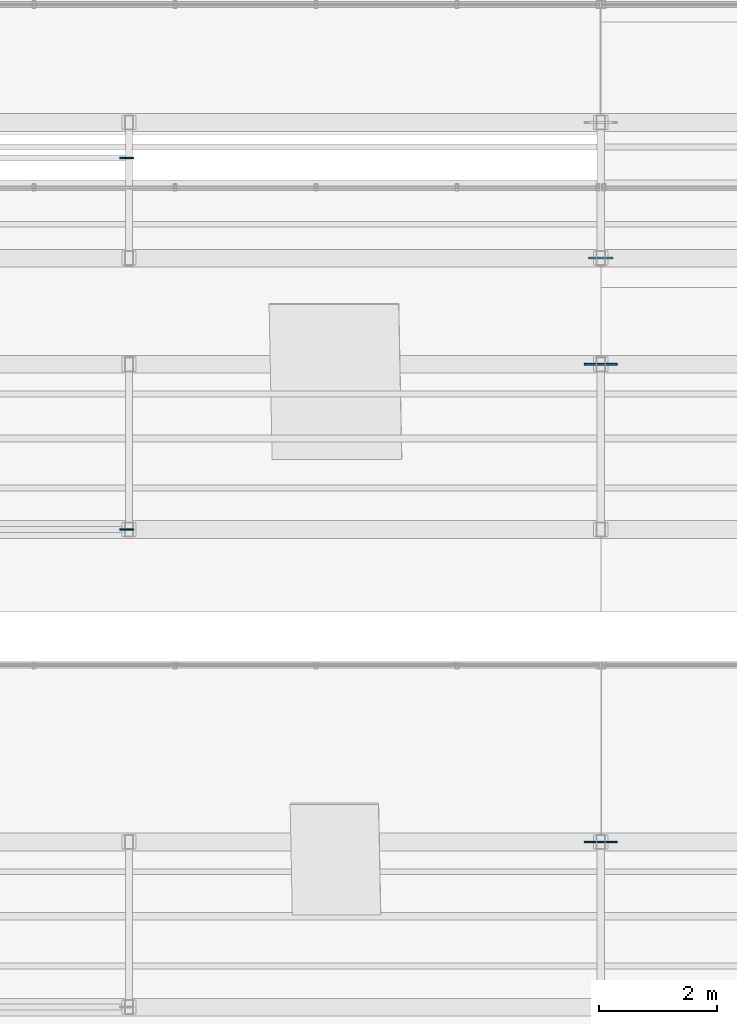
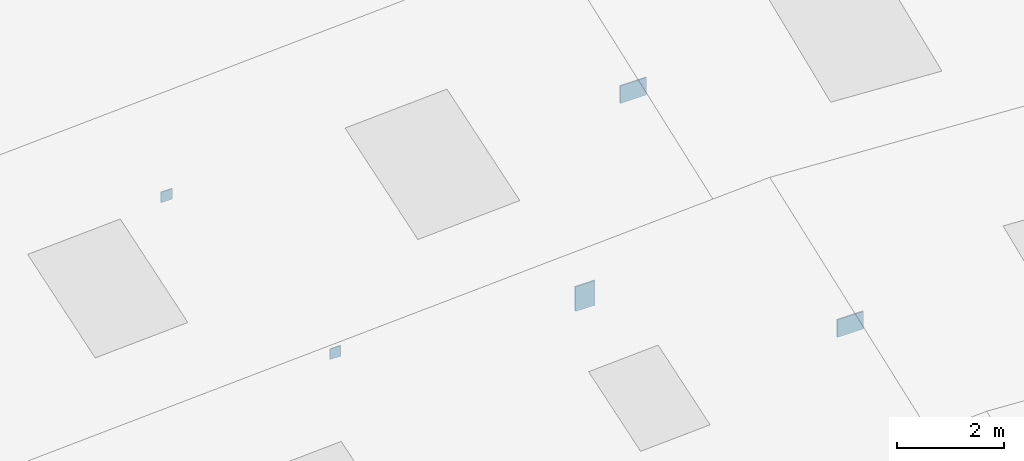
# One storey, part 136 of 141: 5 plates.
"""IFC4 building model written with IfcOpenShell, lengths in metres."""

from ifc_helpers import new_model, si_unit, direction, frame, origin, origin_2d, place, context, subcontext, project, spatial, rectangle, extrude, material, layer, layer_set, type_object, element, save


model = new_model("IFC4")

# Units and contexts
model_context = context("Model", 3, precision=1e-05, world=origin(), true_north=direction((0.0, 1.0)))
body_context = subcontext(model_context, "Body", "Model", "MODEL_VIEW")
ifc_project = project(units=[si_unit("LENGTHUNIT", "METRE"), si_unit("AREAUNIT", "SQUARE_METRE"), si_unit("VOLUMEUNIT", "CUBIC_METRE"), si_unit("PLANEANGLEUNIT", "RADIAN"), si_unit("MASSUNIT", "GRAM", prefix="KILO")], contexts=[model_context])

# Site, building, storey
site_placement = place(None, origin())
site = spatial("IfcSite", under=ifc_project, at=site_placement, CompositionType="ELEMENT")
building_placement = place(site_placement, origin())
building = spatial("IfcBuilding", under=site, at=building_placement, Name="Sundkrona Museum", CompositionType="ELEMENT")
storey_placement = place(building_placement, frame((0.0, 0.0, 34.0)))
storey = spatial("IfcBuildingStorey", under=building, at=storey_placement, Name="RF", CompositionType="ELEMENT", Elevation=34.0)

# Plates
ifc_material = material(Name="Steel S355J2", Category="steel")
ifc_layer_1 = layer(ifc_material, 0.034912109375)
ifc_layer_set_1 = layer_set([ifc_layer_1], Name="Steel S355J2")
plate_type_1 = type_object("IfcPlateType", Name="EP-1", PredefinedType="USERDEFINED", material=ifc_layer_set_1)
plate_placement = place(storey_placement, frame((144.0, 41.5, -0.530029296875), z_axis=(0.0, 0.0, 1.0), x_axis=(1.0, 0.0, 0.0)))
element("IfcPlate", 1, at=plate_placement, inside=storey, type_object=plate_type_1, Name="Core Wall Cast-In Embed Plate SAW-B7-SVP-4-1", ObjectType="GUSSET PLATE", PredefinedType="USERDEFINED", context=body_context, shape_type="SweptSolid", body=[
    extrude(rectangle(XDim=0.419921875, YDim=0.034912109375, at=origin_2d()), origin(), (0.0, 0.0, 1.0), 0.56005859375),
])
ifc_layer_2 = layer(ifc_material, 0.030029296875)
ifc_layer_set_2 = layer_set([ifc_layer_2], Name="Steel S355J2")
plate_type_2 = type_object("IfcPlateType", Name="GP-3", PredefinedType="USERDEFINED", material=ifc_layer_set_2)
for number, where, z_axis, x_axis, name in (
    (2, (144.0, 31.60009765625, 4.90576171875), (0.0, 0.0, 1.0), (1.0, 0.0, 0.0), "Sawtooth Truss 5 Ridge Gusset"),
    (3, (144.0, 39.699951171875, 5.325927734375), (0.0, 0.0, 1.0), (1.0, 0.0, 0.0), "Sawtooth Truss 6 Ridge Gusset"),
):
    element("IfcPlate", number, at=place(storey_placement, frame(where, z_axis=z_axis, x_axis=x_axis)), inside=storey, type_object=plate_type_2, Name=name, ObjectType="GUSSET PLATE", PredefinedType="USERDEFINED", context=body_context, shape_type="SweptSolid", body=[
        extrude(rectangle(XDim=0.56005859375, YDim=0.030029296875, at=origin_2d()), origin(), (0.0, 0.0, 1.0), 0.39990234375),
    ])
ifc_layer_3 = layer(ifc_material, 0.02490234375)
ifc_layer_set_3 = layer_set([ifc_layer_3], Name="Steel S355J2")
plate_type_3 = type_object("IfcPlateType", Name="GP-6", PredefinedType="USERDEFINED", material=ifc_layer_set_3)
for number, where, z_axis, x_axis, name in (
    (4, (135.9599609375, 36.89990234375, 3.9404296875), (0.0, 0.0, 1.0), (1.0, 0.0, 0.0), "Hollow Section Seal Cap Plate PR-SAW-RHS-06-2"),
    (5, (135.9599609375, 43.199951171875, 3.69775390625), (0.0, 0.0, 1.0), (1.0, 0.0, 0.0), "Hollow Section Seal Cap Plate PR-SAW-RHS-07-2"),
):
    element("IfcPlate", number, at=place(storey_placement, frame(where, z_axis=z_axis, x_axis=x_axis)), inside=storey, type_object=plate_type_3, Name=name, ObjectType="GUSSET PLATE", PredefinedType="USERDEFINED", context=body_context, shape_type="SweptSolid", body=[
        extrude(rectangle(XDim=0.239990234375, YDim=0.02490234375, at=origin_2d()), origin(), (0.0, 0.0, 1.0), 0.239990234375),
    ])

save(model, "model.ifc")
